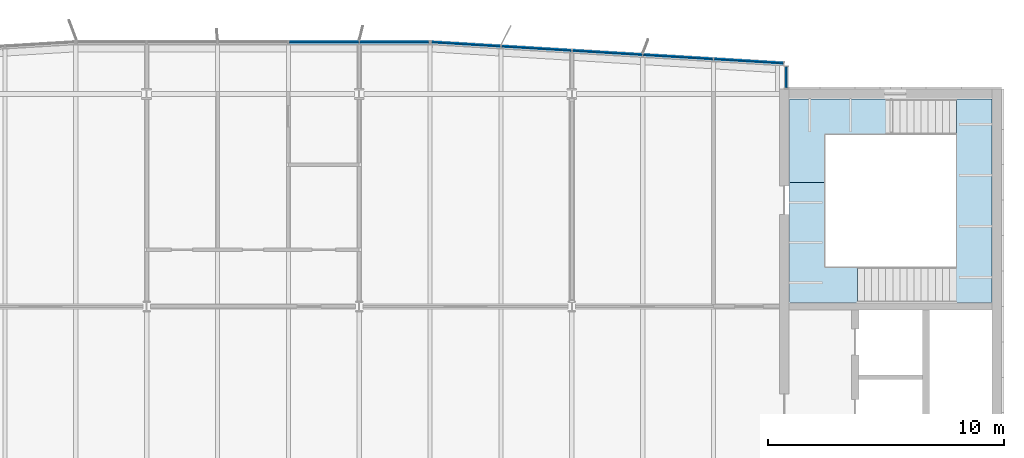
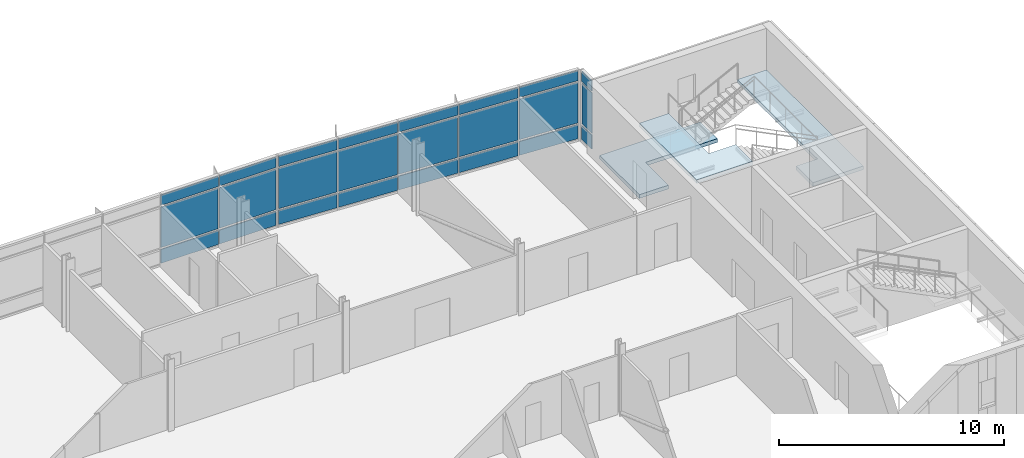
# One storey, part 13 of 21: 24 plates, 3 slabs, 4 elements without a shape of their own.
"""IFC4 building model written with IfcOpenShell, lengths in metres."""

from ifc_helpers import new_model, si_unit, direction, frame, origin, origin_2d, place, context, subcontext, project, spatial, polyline, rectangle, outline, extrude, material, layer, layer_set, type_object, element, aggregate, save


model = new_model("IFC4")

# Units and contexts
model_context = context("Model", 3, precision=1e-05, world=origin(), true_north=direction((0.0, 1.0)))
body_context = subcontext(model_context, "Body", "Model", "MODEL_VIEW")
ifc_project = project(units=[si_unit("LENGTHUNIT", "METRE"), si_unit("AREAUNIT", "SQUARE_METRE"), si_unit("VOLUMEUNIT", "CUBIC_METRE"), si_unit("PLANEANGLEUNIT", "RADIAN"), si_unit("MASSUNIT", "GRAM", prefix="KILO")], contexts=[model_context])

# Site, building, storey
site_placement = place(None, origin())
site = spatial("IfcSite", under=ifc_project, at=site_placement, CompositionType="ELEMENT")
building_placement = place(site_placement, origin())
building = spatial("IfcBuilding", under=site, at=building_placement, Name="Azimuth Sports and Learning Centre", CompositionType="ELEMENT")
storey_placement = place(building_placement, frame((0.0, 0.0, 48.0)))
storey = spatial("IfcBuildingStorey", under=building, at=storey_placement, Name="L10", CompositionType="ELEMENT", Elevation=48.0)

# Stair, slabs
ifc_material_1 = material(Name="Concrete C32/40", Category="concrete")
stair_type = type_object("IfcStairType", Name="Square-well stair core 3900 storey", PredefinedType="THREE_QUARTER_TURN_STAIR", material=ifc_material_1)
stair_placement = place(storey_placement, origin())
stair = element("IfcStair", 1, at=stair_placement, inside=storey, type_object=stair_type, Name="Stair E2 L10-L11", PredefinedType="THREE_QUARTER_TURN_STAIR")
ifc_material_2 = material(Name="Concrete C32/40", Category="concrete")
ifc_layer_1 = layer(ifc_material_2, 0.199951171875)
ifc_layer_set_1 = layer_set([ifc_layer_1], Name="Concrete C32/40")
slab_type = type_object("IfcSlabType", Name="Concrete stair landing", PredefinedType="LANDING", material=ifc_layer_set_1)
slab_1_placement = place(storey_placement, frame((0.0, 0.0, -0.199951171875)))
slab_1 = element("IfcSlab", 2, at=slab_1_placement, type_object=slab_type, Name="Stair E2 L10 landing 1", PredefinedType="LANDING", context=body_context, shape_type="SweptSolid", body=[
    extrude(outline(polyline([(108.2099609375, 116.7900390625), (108.2099609375, 113.25), (109.7099609375, 113.25), (109.7099609375, 115.2900390625), (113.389892578125, 115.2900390625), (113.389892578125, 116.7900390625), (108.2099609375, 116.7900390625)])), origin(), (0.0, 0.0, 1.0), 0.199951171875),
])
slab_2_placement = place(storey_placement, frame((0.0, 0.0, 1.449951171875)))
slab_2 = element("IfcSlab", 3, at=slab_2_placement, type_object=slab_type, Name="Stair E2 L10 landing 2", PredefinedType="LANDING", context=body_context, shape_type="SweptSolid", body=[
    extrude(outline(polyline([(115.2900390625, 115.2900390625), (115.2900390625, 109.659912109375), (114.18994140625, 109.659912109375), (114.18994140625, 108.159912109375), (116.7900390625, 108.159912109375), (116.7900390625, 116.7900390625), (115.289306640625, 116.7900390625), (115.289306640625, 115.2900390625), (115.2900390625, 115.2900390625)])), origin(), (0.0, 0.0, 1.0), 0.199951171875),
])
slab_3_placement = place(storey_placement, frame((0.0, 0.0, 3.699951171875)))
slab_3 = element("IfcSlab", 4, at=slab_3_placement, type_object=slab_type, Name="Stair E2 L10 landing 3", PredefinedType="LANDING", context=body_context, shape_type="SweptSolid", body=[
    extrude(outline(polyline([(109.7099609375, 109.659912109375), (109.7099609375, 113.25), (108.2099609375, 113.25), (108.2099609375, 108.159912109375), (111.0908203125, 108.159912109375), (111.0908203125, 109.659912109375), (109.7099609375, 109.659912109375)])), origin(), (0.0, 0.0, 1.0), 0.199951171875),
])
aggregate(stair, [slab_1, slab_2, slab_3])

# Curtain wall, plates
ifc_material_3 = material(Name="Aluminium and glass", Category="aluminium")
curtain_wall_type_1 = type_object("IfcCurtainWallType", Name="Curtain wall tower return 180", PredefinedType="NOTDEFINED", material=ifc_material_3)
curtain_wall_1_placement = place(storey_placement, origin())
curtain_wall_1 = element("IfcCurtainWall", 5, at=curtain_wall_1_placement, inside=storey, type_object=curtain_wall_type_1, Name="Curtain wall CW10-006", PredefinedType="NOTDEFINED")
ifc_material_4 = material(Name="Insulated aluminium panel", Category="aluminium")
ifc_layer_2 = layer(ifc_material_4, 0.050048828125)
ifc_layer_set_2 = layer_set([ifc_layer_2], Name="Insulated aluminium panel")
plate_type_1 = type_object("IfcPlateType", Name="Spandrel panel 50 mm", PredefinedType="CURTAIN_PANEL", material=ifc_layer_set_2)
plate_1_placement = place(storey_placement, frame((108.090087890625, 117.699951171875, 0.10009765625), z_axis=(0.0, 0.0, 1.0), x_axis=(0.0, 1.0, 0.0)))
plate_1 = element("IfcPlate", 6, at=plate_1_placement, type_object=plate_type_1, Name="CW10-006 panel 1.1", PredefinedType="CURTAIN_PANEL", context=body_context, shape_type="SweptSolid", body=[
    extrude(rectangle(XDim=0.8798828125, YDim=0.050048828125, at=origin_2d()), origin(), (0.0, 0.0, 1.0), 0.75),
])
plate_2_placement = place(storey_placement, frame((108.090087890625, 117.699951171875, 3.25), z_axis=(0.0, 0.0, 1.0), x_axis=(0.0, 1.0, 0.0)))
plate_2 = element("IfcPlate", 7, at=plate_2_placement, type_object=plate_type_1, Name="CW10-006 panel 1.3", PredefinedType="CURTAIN_PANEL", context=body_context, shape_type="SweptSolid", body=[
    extrude(rectangle(XDim=0.8798828125, YDim=0.050048828125, at=origin_2d()), origin(), (0.0, 0.0, 1.0), 0.550048828125),
])

ifc_material_5 = material(Name="Aluminium and glass", Category="aluminium")
curtain_wall_type_2 = type_object("IfcCurtainWallType", Name="Curtain wall tower north 180", PredefinedType="NOTDEFINED", material=ifc_material_5)
curtain_wall_2_placement = place(storey_placement, origin())
curtain_wall_2 = element("IfcCurtainWall", 8, at=curtain_wall_2_placement, inside=storey, type_object=curtain_wall_type_2, Name="Curtain wall CW10-007", PredefinedType="NOTDEFINED")
plate_3_placement = place(storey_placement, frame((106.490478515625, 118.380615234375, 0.10009765625), z_axis=(0.0, 0.0, 1.0), x_axis=(-0.998204863401, 0.059891991812, 0.0)))
plate_3 = element("IfcPlate", 9, at=plate_3_placement, type_object=plate_type_1, Name="CW10-007 panel 1.1", PredefinedType="CURTAIN_PANEL", context=body_context, shape_type="SweptSolid", body=[
    extrude(rectangle(XDim=2.915283203125, YDim=0.050048828125, at=origin_2d()), origin(), (0.0, 0.0, 1.0), 0.75),
])
plate_4_placement = place(storey_placement, frame((106.490478515625, 118.380615234375, 3.25), z_axis=(0.0, 0.0, 1.0), x_axis=(-0.998204863401, 0.059891991812, 0.0)))
plate_4 = element("IfcPlate", 10, at=plate_4_placement, type_object=plate_type_1, Name="CW10-007 panel 1.3", PredefinedType="CURTAIN_PANEL", context=body_context, shape_type="SweptSolid", body=[
    extrude(rectangle(XDim=2.915283203125, YDim=0.050048828125, at=origin_2d()), origin(), (0.0, 0.0, 1.0), 0.550048828125),
])
plate_5_placement = place(storey_placement, frame((103.50537109375, 118.559814453125, 0.10009765625), z_axis=(0.0, 0.0, 1.0), x_axis=(-0.998204863401, 0.059891991812, 0.0)))
plate_5 = element("IfcPlate", 11, at=plate_5_placement, type_object=plate_type_1, Name="CW10-007 panel 2.1", PredefinedType="CURTAIN_PANEL", context=body_context, shape_type="SweptSolid", body=[
    extrude(rectangle(XDim=2.9453125, YDim=0.050048828125, at=origin_2d()), origin(), (0.0, 0.0, 1.0), 0.75),
])
plate_6_placement = place(storey_placement, frame((103.50537109375, 118.559814453125, 3.25), z_axis=(0.0, 0.0, 1.0), x_axis=(-0.998204863401, 0.059891991812, 0.0)))
plate_6 = element("IfcPlate", 12, at=plate_6_placement, type_object=plate_type_1, Name="CW10-007 panel 2.3", PredefinedType="CURTAIN_PANEL", context=body_context, shape_type="SweptSolid", body=[
    extrude(rectangle(XDim=2.9453125, YDim=0.050048828125, at=origin_2d()), origin(), (0.0, 0.0, 1.0), 0.550048828125),
])
plate_7_placement = place(storey_placement, frame((100.50537109375, 118.73974609375, 0.10009765625), z_axis=(0.0, 0.0, 1.0), x_axis=(-0.998204863401, 0.059891991812, 0.0)))
plate_7 = element("IfcPlate", 13, at=plate_7_placement, type_object=plate_type_1, Name="CW10-007 panel 3.1", PredefinedType="CURTAIN_PANEL", context=body_context, shape_type="SweptSolid", body=[
    extrude(rectangle(XDim=2.9453125, YDim=0.050048828125, at=origin_2d()), origin(), (0.0, 0.0, 1.0), 0.75),
])
plate_8_placement = place(storey_placement, frame((100.50537109375, 118.73974609375, 3.25), z_axis=(0.0, 0.0, 1.0), x_axis=(-0.998204863401, 0.059891991812, 0.0)))
plate_8 = element("IfcPlate", 14, at=plate_8_placement, type_object=plate_type_1, Name="CW10-007 panel 3.3", PredefinedType="CURTAIN_PANEL", context=body_context, shape_type="SweptSolid", body=[
    extrude(rectangle(XDim=2.9453125, YDim=0.050048828125, at=origin_2d()), origin(), (0.0, 0.0, 1.0), 0.550048828125),
])
plate_9_placement = place(storey_placement, frame((97.50537109375, 118.919921875, 0.10009765625), z_axis=(0.0, 0.0, 1.0), x_axis=(-0.998204863401, 0.059891991812, 0.0)))
plate_9 = element("IfcPlate", 15, at=plate_9_placement, type_object=plate_type_1, Name="CW10-007 panel 4.1", PredefinedType="CURTAIN_PANEL", context=body_context, shape_type="SweptSolid", body=[
    extrude(rectangle(XDim=2.9453125, YDim=0.050048828125, at=origin_2d()), origin(), (0.0, 0.0, 1.0), 0.75),
])
plate_10_placement = place(storey_placement, frame((97.50537109375, 118.919921875, 3.25), z_axis=(0.0, 0.0, 1.0), x_axis=(-0.998204863401, 0.059891991812, 0.0)))
plate_10 = element("IfcPlate", 16, at=plate_10_placement, type_object=plate_type_1, Name="CW10-007 panel 4.3", PredefinedType="CURTAIN_PANEL", context=body_context, shape_type="SweptSolid", body=[
    extrude(rectangle(XDim=2.9453125, YDim=0.050048828125, at=origin_2d()), origin(), (0.0, 0.0, 1.0), 0.550048828125),
])
plate_11_placement = place(storey_placement, frame((94.520263671875, 119.098876953125, 0.10009765625), z_axis=(0.0, 0.0, 1.0), x_axis=(-0.998204863401, 0.059891991812, 0.0)))
plate_11 = element("IfcPlate", 17, at=plate_11_placement, type_object=plate_type_1, Name="CW10-007 panel 5.1", PredefinedType="CURTAIN_PANEL", context=body_context, shape_type="SweptSolid", body=[
    extrude(rectangle(XDim=2.915283203125, YDim=0.050048828125, at=origin_2d()), origin(), (0.0, 0.0, 1.0), 0.75),
])
plate_12_placement = place(storey_placement, frame((94.520263671875, 119.098876953125, 3.25), z_axis=(0.0, 0.0, 1.0), x_axis=(-0.998204863401, 0.059891991812, 0.0)))
plate_12 = element("IfcPlate", 18, at=plate_12_placement, type_object=plate_type_1, Name="CW10-007 panel 5.3", PredefinedType="CURTAIN_PANEL", context=body_context, shape_type="SweptSolid", body=[
    extrude(rectangle(XDim=2.915283203125, YDim=0.050048828125, at=origin_2d()), origin(), (0.0, 0.0, 1.0), 0.550048828125),
])

curtain_wall_3_placement = place(storey_placement, origin())
curtain_wall_3 = element("IfcCurtainWall", 19, at=curtain_wall_3_placement, inside=storey, type_object=curtain_wall_type_2, Name="Curtain wall CW10-008", PredefinedType="NOTDEFINED")
plate_13_placement = place(storey_placement, frame((91.48779296875, 119.18994140625, 0.10009765625), z_axis=(0.0, 0.0, 1.0), x_axis=(-1.0, 0.0, 0.0)))
plate_13 = element("IfcPlate", 20, at=plate_13_placement, type_object=plate_type_1, Name="CW10-008 panel 1.1", PredefinedType="CURTAIN_PANEL", context=body_context, shape_type="SweptSolid", body=[
    extrude(rectangle(XDim=2.915283203125, YDim=0.050048828125, at=origin_2d()), origin(), (0.0, 0.0, 1.0), 0.75),
])
plate_14_placement = place(storey_placement, frame((91.48779296875, 119.18994140625, 3.25), z_axis=(0.0, 0.0, 1.0), x_axis=(-1.0, 0.0, 0.0)))
plate_14 = element("IfcPlate", 21, at=plate_14_placement, type_object=plate_type_1, Name="CW10-008 panel 1.3", PredefinedType="CURTAIN_PANEL", context=body_context, shape_type="SweptSolid", body=[
    extrude(rectangle(XDim=2.915283203125, YDim=0.050048828125, at=origin_2d()), origin(), (0.0, 0.0, 1.0), 0.550048828125),
])
plate_15_placement = place(storey_placement, frame((88.5, 119.18994140625, 0.10009765625), z_axis=(0.0, 0.0, 1.0), x_axis=(-1.0, 0.0, 0.0)))
plate_15 = element("IfcPlate", 22, at=plate_15_placement, type_object=plate_type_1, Name="CW10-008 panel 2.1", PredefinedType="CURTAIN_PANEL", context=body_context, shape_type="SweptSolid", body=[
    extrude(rectangle(XDim=2.93994140625, YDim=0.050048828125, at=origin_2d()), origin(), (0.0, 0.0, 1.0), 0.75),
])
plate_16_placement = place(storey_placement, frame((88.5, 119.18994140625, 3.25), z_axis=(0.0, 0.0, 1.0), x_axis=(-1.0, 0.0, 0.0)))
plate_16 = element("IfcPlate", 23, at=plate_16_placement, type_object=plate_type_1, Name="CW10-008 panel 2.3", PredefinedType="CURTAIN_PANEL", context=body_context, shape_type="SweptSolid", body=[
    extrude(rectangle(XDim=2.93994140625, YDim=0.050048828125, at=origin_2d()), origin(), (0.0, 0.0, 1.0), 0.550048828125),
])

# Plate
ifc_material_6 = material(Name="Glass", Category="glass")
ifc_layer_3 = layer(ifc_material_6, 0.031982421875)
ifc_layer_set_3 = layer_set([ifc_layer_3], Name="Glass")
plate_type_2 = type_object("IfcPlateType", Name="Vision glass 32 mm", PredefinedType="CURTAIN_PANEL", material=ifc_layer_set_3)
plate_17_placement = place(storey_placement, frame((108.090087890625, 117.699951171875, 0.9501953125), z_axis=(0.0, 0.0, 1.0), x_axis=(0.0, 1.0, 0.0)))
plate_17 = element("IfcPlate", 24, at=plate_17_placement, type_object=plate_type_2, Name="CW10-006 panel 1.2", PredefinedType="CURTAIN_PANEL", context=body_context, shape_type="SweptSolid", body=[
    extrude(rectangle(XDim=0.8798828125, YDim=0.031982421875, at=origin_2d()), origin(), (0.0, 0.0, 1.0), 2.199951171875),
])

aggregate(curtain_wall_1, [plate_1, plate_17, plate_2])

plate_18_placement = place(storey_placement, frame((106.490478515625, 118.380615234375, 0.9501953125), z_axis=(0.0, 0.0, 1.0), x_axis=(-0.998204863401, 0.059891991812, 0.0)))
plate_18 = element("IfcPlate", 25, at=plate_18_placement, type_object=plate_type_2, Name="CW10-007 panel 1.2", PredefinedType="CURTAIN_PANEL", context=body_context, shape_type="SweptSolid", body=[
    extrude(rectangle(XDim=2.915283203125, YDim=0.031982421875, at=origin_2d()), origin(), (0.0, 0.0, 1.0), 2.199951171875),
])

plate_19_placement = place(storey_placement, frame((103.50537109375, 118.559814453125, 0.9501953125), z_axis=(0.0, 0.0, 1.0), x_axis=(-0.998204863401, 0.059891991812, 0.0)))
plate_19 = element("IfcPlate", 26, at=plate_19_placement, type_object=plate_type_2, Name="CW10-007 panel 2.2", PredefinedType="CURTAIN_PANEL", context=body_context, shape_type="SweptSolid", body=[
    extrude(rectangle(XDim=2.9453125, YDim=0.031982421875, at=origin_2d()), origin(), (0.0, 0.0, 1.0), 2.199951171875),
])

plate_20_placement = place(storey_placement, frame((100.50537109375, 118.73974609375, 0.9501953125), z_axis=(0.0, 0.0, 1.0), x_axis=(-0.998204863401, 0.059891991812, 0.0)))
plate_20 = element("IfcPlate", 27, at=plate_20_placement, type_object=plate_type_2, Name="CW10-007 panel 3.2", PredefinedType="CURTAIN_PANEL", context=body_context, shape_type="SweptSolid", body=[
    extrude(rectangle(XDim=2.9453125, YDim=0.031982421875, at=origin_2d()), origin(), (0.0, 0.0, 1.0), 2.199951171875),
])

plate_21_placement = place(storey_placement, frame((97.50537109375, 118.919921875, 0.9501953125), z_axis=(0.0, 0.0, 1.0), x_axis=(-0.998204863401, 0.059891991812, 0.0)))
plate_21 = element("IfcPlate", 28, at=plate_21_placement, type_object=plate_type_2, Name="CW10-007 panel 4.2", PredefinedType="CURTAIN_PANEL", context=body_context, shape_type="SweptSolid", body=[
    extrude(rectangle(XDim=2.9453125, YDim=0.031982421875, at=origin_2d()), origin(), (0.0, 0.0, 1.0), 2.199951171875),
])

plate_22_placement = place(storey_placement, frame((94.520263671875, 119.098876953125, 0.9501953125), z_axis=(0.0, 0.0, 1.0), x_axis=(-0.998204863401, 0.059891991812, 0.0)))
plate_22 = element("IfcPlate", 29, at=plate_22_placement, type_object=plate_type_2, Name="CW10-007 panel 5.2", PredefinedType="CURTAIN_PANEL", context=body_context, shape_type="SweptSolid", body=[
    extrude(rectangle(XDim=2.915283203125, YDim=0.031982421875, at=origin_2d()), origin(), (0.0, 0.0, 1.0), 2.199951171875),
])

aggregate(curtain_wall_2, [plate_3, plate_18, plate_4, plate_5, plate_19, plate_6, plate_7, plate_20, plate_8, plate_9, plate_21, plate_10, plate_11, plate_22, plate_12])

plate_23_placement = place(storey_placement, frame((91.48779296875, 119.18994140625, 0.9501953125), z_axis=(0.0, 0.0, 1.0), x_axis=(-1.0, 0.0, 0.0)))
plate_23 = element("IfcPlate", 30, at=plate_23_placement, type_object=plate_type_2, Name="CW10-008 panel 1.2", PredefinedType="CURTAIN_PANEL", context=body_context, shape_type="SweptSolid", body=[
    extrude(rectangle(XDim=2.915283203125, YDim=0.031982421875, at=origin_2d()), origin(), (0.0, 0.0, 1.0), 2.199951171875),
])

plate_24_placement = place(storey_placement, frame((88.5, 119.18994140625, 0.9501953125), z_axis=(0.0, 0.0, 1.0), x_axis=(-1.0, 0.0, 0.0)))
plate_24 = element("IfcPlate", 31, at=plate_24_placement, type_object=plate_type_2, Name="CW10-008 panel 2.2", PredefinedType="CURTAIN_PANEL", context=body_context, shape_type="SweptSolid", body=[
    extrude(rectangle(XDim=2.93994140625, YDim=0.031982421875, at=origin_2d()), origin(), (0.0, 0.0, 1.0), 2.199951171875),
])

aggregate(curtain_wall_3, [plate_13, plate_23, plate_14, plate_15, plate_24, plate_16])

save(model, "model.ifc")
